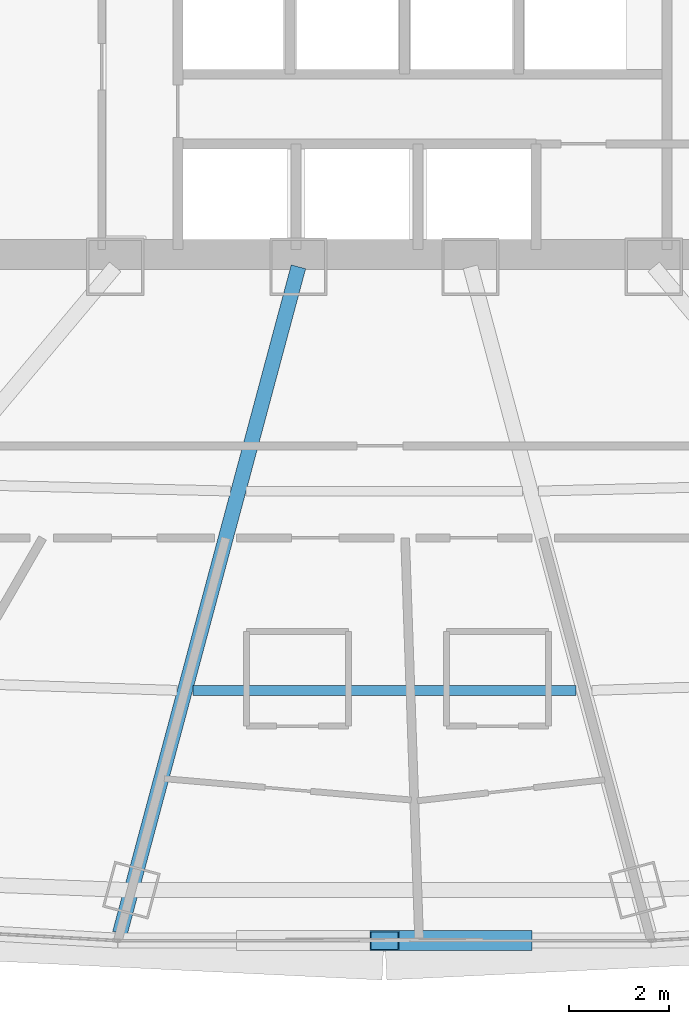
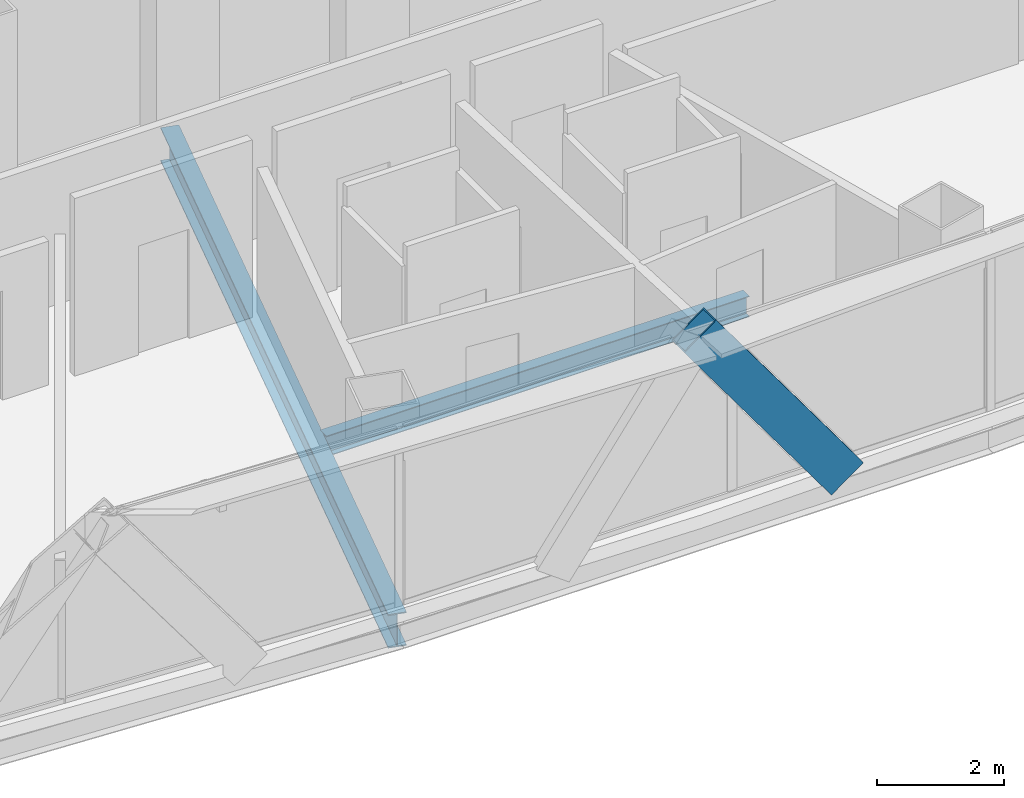
# One storey, part 11 of 39: 2 beams, 1 member.
"""IFC4 building model written with IfcOpenShell, lengths in metres."""

from ifc_helpers import new_model, si_unit, direction, frame, origin, origin_2d, place, context, subcontext, project, spatial, hollow_rectangle, i_section, extrude, source, transform, mapped, material, material_profile, profile_set, type_object, element, save


model = new_model("IFC4")

# Units and contexts
model_context = context("Model", 3, precision=1e-05, world=origin(), true_north=direction((0.0, 1.0)))
body_context = subcontext(model_context, "Body", "Model", "MODEL_VIEW")
ifc_project = project(units=[si_unit("LENGTHUNIT", "METRE"), si_unit("AREAUNIT", "SQUARE_METRE"), si_unit("VOLUMEUNIT", "CUBIC_METRE"), si_unit("PLANEANGLEUNIT", "RADIAN"), si_unit("MASSUNIT", "GRAM", prefix="KILO"), si_unit("THERMODYNAMICTEMPERATUREUNIT", "KELVIN"), si_unit("POWERUNIT", "WATT")], contexts=[model_context])

# Site, building, storey
site_placement = place(None, origin())
site = spatial("IfcSite", under=ifc_project, at=site_placement, CompositionType="ELEMENT")
building_placement = place(site_placement, origin())
building = spatial("IfcBuilding", under=site, at=building_placement, Name="Yunzhuo Pagoda Commons", CompositionType="ELEMENT")
storey_placement = place(building_placement, frame((0.0, 0.0, 162.949951171875)))
storey = spatial("IfcBuildingStorey", under=building, at=storey_placement, Name="L41", CompositionType="ELEMENT", Elevation=162.949951171875)

# Beams
ifc_material = material(Name="Structural steel Q355B", Category="steel")
ifc_material_profile_1 = material_profile(ifc_material, i_section(OverallWidth=0.199951171875, OverallDepth=0.39990234375, WebThickness=0.008056640625, FlangeThickness=0.012939453125, at=origin_2d()), Name="Structural steel Q355B")
ifc_profile_set_1 = profile_set([ifc_material_profile_1], Name="Structural steel Q355B")
beam_type_1 = type_object("IfcBeamType", Name="B-JS1 Joist HN 400x200x8x13", PredefinedType="JOIST", material=ifc_profile_set_1)
shared_shape_1 = source(origin(), body_context, "Body", "SweptSolid", [
    extrude(i_section(OverallWidth=0.199951171875, OverallDepth=0.39990234375, WebThickness=0.008056640625, FlangeThickness=0.012939453125, at=origin_2d()), origin(), (0.0, 0.0, 1.0), 7.7041015625),
])
beam_1_placement = place(storey_placement, frame((44.14794921875, 18.730712890625, -0.4599609375), z_axis=(1.0, 0.0, 0.0), x_axis=(0.0, 1.0, 0.0)))
element("IfcBeam", 1, at=beam_1_placement, inside=storey, type_object=beam_type_1, Name="L41 composite ring joist 2.2", PredefinedType="JOIST", context=body_context, shape_type="MappedRepresentation", body=[
    mapped(shared_shape_1, transform((0.0, 0.0, 0.0), scale=1.0)),
])
ifc_material_profile_2 = material_profile(ifc_material, i_section(OverallWidth=0.300048828125, OverallDepth=0.64990234375, WebThickness=0.012939453125, FlangeThickness=0.02197265625, at=origin_2d()), Name="Structural steel Q355B")
ifc_profile_set_2 = profile_set([ifc_material_profile_2], Name="Structural steel Q355B")
beam_type_2 = type_object("IfcBeamType", Name="B-RG2 Beam HN 650x300x13x22", PredefinedType="BEAM", material=ifc_profile_set_2)
shared_shape_2 = source(origin(), body_context, "Body", "SweptSolid", [
    extrude(i_section(OverallWidth=0.300048828125, OverallDepth=0.64990234375, WebThickness=0.012939453125, FlangeThickness=0.02197265625, at=origin_2d()), origin(), (0.0, 0.0, 1.0), 13.865478515625),
])
beam_2_placement = place(storey_placement, frame((42.683349609375, 13.85693359375, -0.5849609375), z_axis=(0.258816469176, 0.965926516503, 0.0), x_axis=(-0.965926516503, 0.258816469176, 0.0)))
element("IfcBeam", 2, at=beam_2_placement, inside=storey, type_object=beam_type_2, Name="L41 radial floor girder F1C2", PredefinedType="BEAM", context=body_context, shape_type="MappedRepresentation", body=[
    mapped(shared_shape_2, transform((0.0, 0.0, 0.0), scale=1.0)),
])

# Member
ifc_material_profile_3 = material_profile(ifc_material, hollow_rectangle(XDim=0.39990234375, YDim=0.719970703125, WallThickness=0.02392578125, at=origin_2d()), Name="Structural steel Q355B")
ifc_profile_set_3 = profile_set([ifc_material_profile_3], Name="Structural steel Q355B")
member_type = type_object("IfcMemberType", Name="M-DL2 Brace BOX 720x400x24", PredefinedType="BRACE", material=ifc_profile_set_3)
shared_shape_3 = source(origin(), body_context, "Body", "SweptSolid", [
    extrude(hollow_rectangle(XDim=0.39990234375, YDim=0.719970703125, WallThickness=0.02392578125, at=origin_2d()), origin(), (0.0, 0.0, 1.0), 4.5517578125),
])
member_placement = place(storey_placement, frame((50.6787109375, 13.707275390625, -0.260009765625), z_axis=(-0.588490566736, 0.0, 0.808504083393), x_axis=(0.0, -1.0, 0.0)))
element("IfcMember", 3, at=member_placement, inside=storey, type_object=member_type, Name="L41 facade diamond brace F1.2R", PredefinedType="BRACE", context=body_context, shape_type="MappedRepresentation", body=[
    mapped(shared_shape_3, transform((0.0, 0.0, 0.0), scale=1.0)),
])

save(model, "model.ifc")
